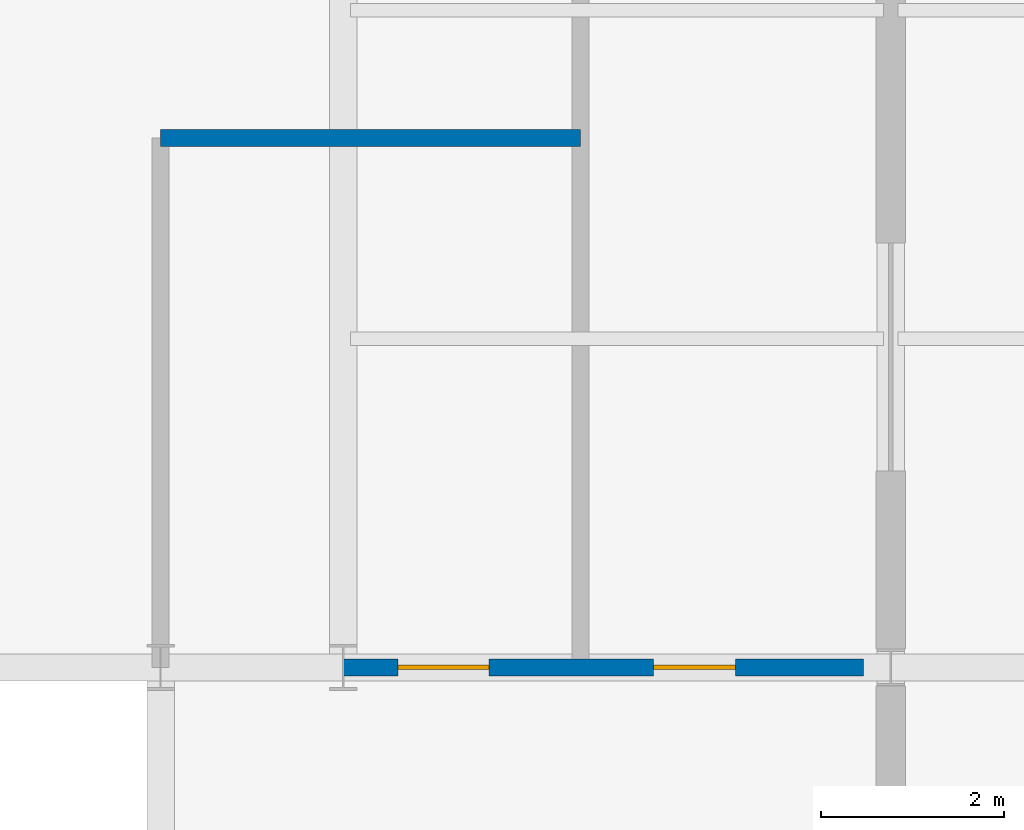
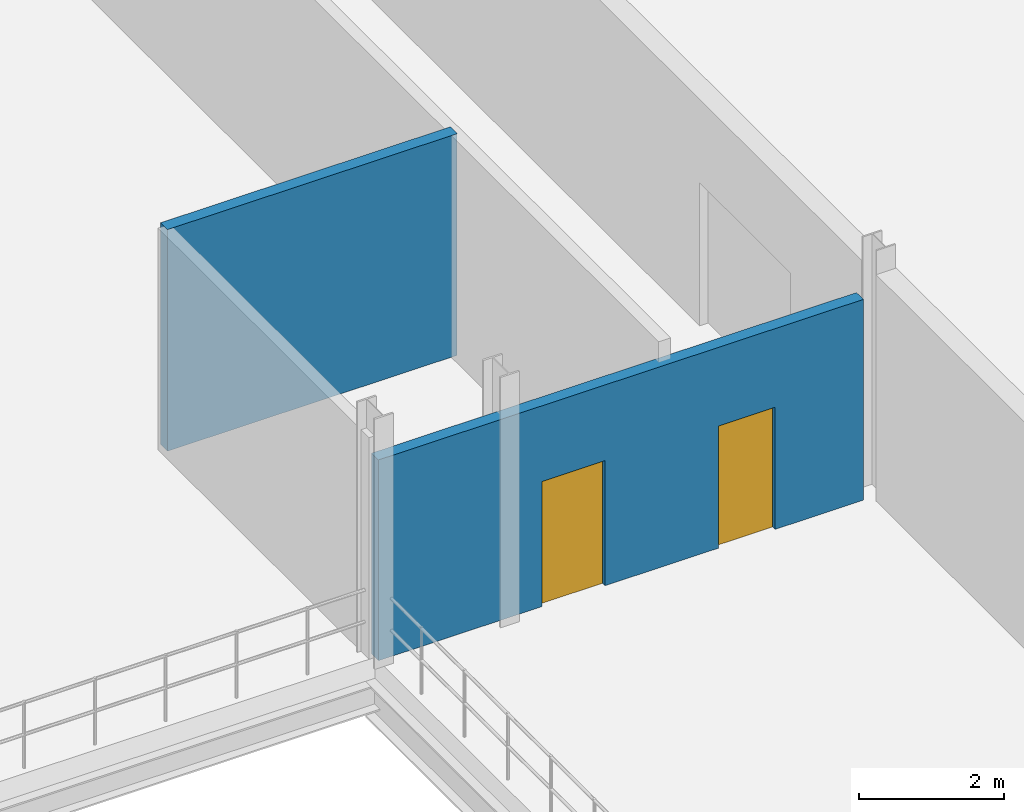
# One storey, part 144 of 158: 2 doors, 2 walls, 2 openings.
"""IFC4 building model written with IfcOpenShell, lengths in metres."""

import ifcopenshell
import ifcopenshell.guid

model = None  # the IFC model being written
_history = None  # IfcOwnerHistory: only IFC2X3 demands one
_inside = {}  # id of a spatial element -> (the spatial element, [elements in it])
_under = {}  # id of a project, library or spatial element -> (it, [spatial elements below it])
_declared = {}  # id of a project -> (the project, [libraries it declares])
_typed = {}  # id of a type object -> (the type object, [elements of that type])
_made_of = {}  # id of a material, layer set ... -> (it, [elements and type objects made of it])


def new_model(schema):
    """Start an empty IFC model of exactly this schema.

    Asked for "IFC4X3", IfcOpenShell would pick the latest addendum, in which some entities
    have other attributes; the version numbers below select the first issue.
    IFC2X3 requires an IfcOwnerHistory on every rooted entity: one is made here for all.
    """
    global model, _history
    if schema == "IFC4X3":
        model = ifcopenshell.file(schema_version=(4, 3, 0, 0))
    else:
        model = ifcopenshell.file(schema=schema)
    _inside.clear()
    _under.clear()
    _declared.clear()
    _typed.clear()
    _made_of.clear()
    _history = None
    if model.schema == "IFC2X3":
        org = make("IfcOrganization", Name="unknown")
        user = make(
            "IfcPersonAndOrganization",
            ThePerson=make("IfcPerson", FamilyName="unknown"),
            TheOrganization=org,
        )
        app = make(
            "IfcApplication",
            ApplicationDeveloper=org,
            Version="unknown",
            ApplicationFullName="unknown",
            ApplicationIdentifier="unknown",
        )
        _history = make(
            "IfcOwnerHistory",
            OwningUser=user,
            OwningApplication=app,
            ChangeAction="ADDED",
            CreationDate=0,
        )
    return model


def make(cls, **values):
    """One entity of the class cls with the attributes given. An attribute that is None is left unset."""
    return model.create_entity(
        cls, **{name: value for name, value in values.items() if value is not None}
    )


def rooted(cls, **values):
    """An entity with a GlobalId (a new one), such as an element, a storey or a relation."""
    return make(cls, GlobalId=ifcopenshell.guid.new(), OwnerHistory=_history, **values)


def si_unit(unit_type, name, prefix=None):
    """IfcSIUnit, for example si_unit("LENGTHUNIT", "METRE", prefix="MILLI")."""
    return make("IfcSIUnit", UnitType=unit_type, Prefix=prefix, Name=name)


def assignment(units):
    """IfcUnitAssignment: the units of a project."""
    return None if units is None else make("IfcUnitAssignment", Units=units)


def point(xyz):
    """IfcCartesianPoint."""
    return None if xyz is None else make("IfcCartesianPoint", Coordinates=xyz)


def direction(xyz):
    """IfcDirection."""
    return None if xyz is None else make("IfcDirection", DirectionRatios=xyz)


def frame(location, z_axis=None, x_axis=None):
    """IfcAxis2Placement3D, a coordinate frame: its origin and axes. An axis left out is left unset."""
    return make(
        "IfcAxis2Placement3D",
        Location=point(location),
        Axis=direction(z_axis),
        RefDirection=direction(x_axis),
    )


def frame_2d(location, x_axis=None):
    """IfcAxis2Placement2D, a coordinate frame in the plane: its origin and x axis."""
    return make(
        "IfcAxis2Placement2D", Location=point(location), RefDirection=direction(x_axis)
    )


def origin():
    """The frame at (0, 0, 0) with its axes left unset."""
    return frame((0.0, 0.0, 0.0))


def place(relative_to, where):
    """IfcLocalPlacement: puts the frame where relative to a parent placement (None: the world)."""
    return make(
        "IfcLocalPlacement", PlacementRelTo=relative_to, RelativePlacement=where
    )


def context(
    kind, dimensions, precision=None, world=None, true_north=None, identifier=None
):
    """IfcGeometricRepresentationContext, for example the 3D "Model" context."""
    return make(
        "IfcGeometricRepresentationContext",
        ContextIdentifier=identifier,
        ContextType=kind,
        CoordinateSpaceDimension=dimensions,
        Precision=precision,
        WorldCoordinateSystem=world,
        TrueNorth=true_north,
    )


def subcontext(parent, identifier, kind, view, scale=None):
    """IfcGeometricRepresentationSubContext, for example "Body" below "Model"."""
    return make(
        "IfcGeometricRepresentationSubContext",
        ContextIdentifier=identifier,
        ContextType=kind,
        ParentContext=parent,
        TargetScale=scale,
        TargetView=view,
    )


def project(units=None, contexts=None):
    """IfcProject with its units and contexts."""
    return rooted(
        "IfcProject",
        Name="project",
        RepresentationContexts=contexts,
        UnitsInContext=assignment(units),
    )


def spatial(cls, under=None, at=None, **own):
    """A site, building, storey or space (cls), placed at a placement, below another one or the project."""
    s = rooted(cls, ObjectPlacement=at, **own)
    if under is not None:
        _under.setdefault(under.id(), (under, []))[1].append(s)
    return s


def profile(cls, at=None, kind="AREA", **sizes):
    """A parametric profile (cls). Its sizes go by their IFC names, for example OverallWidth=200.0."""
    return make(cls, ProfileType=kind, Position=at, **sizes)


def rectangle(**sizes):
    """IfcRectangleProfileDef."""
    return profile("IfcRectangleProfileDef", **sizes)


def extrude(swept, where, along, depth):
    """IfcExtrudedAreaSolid: the profile swept, set in the frame where, extruded along a direction by depth."""
    return make(
        "IfcExtrudedAreaSolid",
        SweptArea=swept,
        Position=where,
        ExtrudedDirection=direction(along),
        Depth=depth,
    )


def shape(context_of_items, identifier, shape_type, items):
    """IfcShapeRepresentation: the items that make up one representation, for example the "Body"."""
    return make(
        "IfcShapeRepresentation",
        ContextOfItems=context_of_items,
        RepresentationIdentifier=identifier,
        RepresentationType=shape_type,
        Items=items,
    )


def material(Name=None, Category=None):
    """IfcMaterial."""
    return make("IfcMaterial", Name=Name, Category=Category)


def layer(
    of_material, thickness, ventilated=None, Name=None, Category=None, Priority=None
):
    """IfcMaterialLayer: one layer of a wall or slab, of a material (None: an air gap)."""
    return make(
        "IfcMaterialLayer",
        Material=of_material,
        LayerThickness=thickness,
        IsVentilated=ventilated,
        Name=Name,
        Category=Category,
        Priority=Priority,
    )


def layer_set(layers, Name=None):
    """IfcMaterialLayerSet."""
    return make("IfcMaterialLayerSet", MaterialLayers=layers, LayerSetName=Name)


def made_of(thing, what):
    """Note that an element or type object is made of a material, layer set ...; save() writes the relation."""
    if what is not None:
        _made_of.setdefault(what.id(), (what, []))[1].append(thing)
    return thing


def type_object(cls, material=None, **own):
    """A type object (cls), such as IfcWallType, which elements share."""
    return made_of(rooted(cls, **own), material)


def element(
    cls,
    number,
    at=None,
    inside=None,
    cuts=None,
    type_object=None,
    material=None,
    context=None,
    identifier="Body",
    shape_type=None,
    held_by="IfcProductDefinitionShape",
    body=None,
    shapes=None,
    **own,
):
    """One element of the class cls, such as IfcWall. Its Tag is "e" and its number.

    at: its placement. inside: the storey or other place that contains it. cuts: it is an
    opening in that element (IfcRelVoidsElement). A single representation is given by context,
    identifier, shape_type and body (its items); several are given by shapes. held_by: the class
    of the entity that holds the representations. save() writes the other relations.
    """
    e = rooted(cls, Tag="e%d" % number, ObjectPlacement=at, **own)
    if body is not None:
        shapes = [shape(context, identifier, shape_type, body)]
    if shapes is not None:
        e.Representation = make(held_by, Representations=shapes)
    if inside is not None:
        _inside.setdefault(inside.id(), (inside, []))[1].append(e)
    if cuts is not None:
        rooted(
            "IfcRelVoidsElement", RelatingBuildingElement=cuts, RelatedOpeningElement=e
        )
    if type_object is not None:
        _typed.setdefault(type_object.id(), (type_object, []))[1].append(e)
    return made_of(e, material)


def fill(opening, filler):
    """IfcRelFillsElement: the door or window that sits in an opening."""
    return rooted(
        "IfcRelFillsElement",
        RelatingOpeningElement=opening,
        RelatedBuildingElement=filler,
    )


def aggregate(whole, parts):
    """IfcRelAggregates: a whole, such as a stair, and the parts it consists of."""
    return rooted("IfcRelAggregates", RelatingObject=whole, RelatedObjects=parts)


def save(model, path):
    """Write the relations noted so far, then the file.

    IfcRelAggregates (storeys below a building ...), IfcRelContainedInSpatialStructure (elements
    in a storey), IfcRelDefinesByType, IfcRelAssociatesMaterial and IfcRelDeclares: one each for
    every whole, place, type object, material and project.
    """
    for whole, parts in _under.values():
        aggregate(whole, parts)
    for where, things in _inside.values():
        rooted(
            "IfcRelContainedInSpatialStructure",
            RelatedElements=things,
            RelatingStructure=where,
        )
    for kind, things in _typed.values():
        rooted("IfcRelDefinesByType", RelatedObjects=things, RelatingType=kind)
    for what, things in _made_of.values():
        rooted("IfcRelAssociatesMaterial", RelatedObjects=things, RelatingMaterial=what)
    for by, libraries in _declared.values():
        rooted("IfcRelDeclares", RelatingContext=by, RelatedDefinitions=libraries)
    model.write(path)


model = new_model("IFC4")

# Units and contexts
model_context = context("Model", 3, precision=1e-05, world=origin(), true_north=direction((0.0, 1.0)))
body_context = subcontext(model_context, "Body", "Model", "MODEL_VIEW")
ifc_project = project(units=[si_unit("LENGTHUNIT", "METRE"), si_unit("AREAUNIT", "SQUARE_METRE"), si_unit("VOLUMEUNIT", "CUBIC_METRE"), si_unit("PLANEANGLEUNIT", "RADIAN"), si_unit("MASSUNIT", "GRAM", prefix="KILO")], contexts=[model_context])

# Site, building, storey
site_placement = place(None, origin())
site = spatial("IfcSite", under=ifc_project, at=site_placement, CompositionType="ELEMENT")
building_placement = place(site_placement, origin())
building = spatial("IfcBuilding", under=site, at=building_placement, Name="Zilviju Railside Exhibition Hall", CompositionType="ELEMENT")
storey_placement = place(building_placement, frame((0.0, 0.0, 4.199951171875)))
storey = spatial("IfcBuildingStorey", under=building, at=storey_placement, Name="L02", CompositionType="ELEMENT", Elevation=4.199951171875)

# Wall, openings, doors
ifc_material_1 = material(Name="Accessible WC sanitary chase wall", Category="masonry")
ifc_layer = layer(ifc_material_1, 0.18994140625)
ifc_layer_set = layer_set([ifc_layer], Name="Accessible WC sanitary chase wall")
wall_type = type_object("IfcWallType", Name="WL-PLMB-190", PredefinedType="PLUMBINGWALL", material=ifc_layer_set)
wall_1_placement = place(storey_placement, frame((70.0, 120.0, 0.0), z_axis=(0.0, 0.0, 1.0), x_axis=(1.0, 0.0, 0.0)))
wall_1 = element("IfcWall", 1, at=wall_1_placement, inside=storey, type_object=wall_type, Name="Concourse L02 WC Wall", PredefinedType="PLUMBINGWALL", context=body_context, shape_type="SweptSolid", body=[
    extrude(rectangle(XDim=7.699951171875, YDim=0.18994140625, at=frame_2d((3.85009765625, 0.0))), origin(), (0.0, 0.0, 1.0), 3.3701171875),
])
opening_1_placement = place(wall_1_placement, frame((2.60009765625, 0.0, 0.0)))
opening_1 = element("IfcOpeningElement", 2, at=opening_1_placement, cuts=wall_1, Name="Opening WD-01", PredefinedType="OPENING", context=body_context, shape_type="SweptSolid", body=[
    extrude(rectangle(XDim=1.0, YDim=2.10009765625, at=frame_2d((0.5, 1.050048828125))), frame((0.0, 0.10498046875, 0.0), z_axis=(0.0, -1.0, 0.0), x_axis=(1.0, 0.0, 0.0)), (0.0, 0.0, 1.0), 0.2099609375),
])
opening_2_placement = place(wall_1_placement, frame((5.39990234375, 0.0, 0.0)))
opening_2 = element("IfcOpeningElement", 3, at=opening_2_placement, cuts=wall_1, Name="Opening WD-02", PredefinedType="OPENING", context=body_context, shape_type="SweptSolid", body=[
    extrude(rectangle(XDim=0.89990234375, YDim=2.050048828125, at=frame_2d((0.449951171875, 1.02490234375))), frame((0.0, 0.10498046875, 0.0), z_axis=(0.0, -1.0, 0.0), x_axis=(1.0, 0.0, 0.0)), (0.0, 0.0, 1.0), 0.2099609375),
])
ifc_material_2 = material(Name="Accessible WC outward-opening door", Category="wood")
door_type_1 = type_object("IfcDoorType", Name="DR-WC-ACC-100x210", OperationType="NOTDEFINED", PredefinedType="DOOR", material=ifc_material_2)
door_1_placement = place(opening_1_placement, origin())
door_1 = element("IfcDoor", 4, at=door_1_placement, inside=storey, type_object=door_type_1, Name="Concourse L02 Accessible WC Door", OperationType="SINGLE_SWING_LEFT", OverallHeight=2.10009765625, OverallWidth=1.0, PredefinedType="DOOR", context=body_context, shape_type="SweptSolid", body=[
    extrude(rectangle(XDim=1.0, YDim=2.10009765625, at=frame_2d((0.5, 1.050048828125))), frame((0.0, 0.02490234375, 0.0), z_axis=(0.0, -1.0, 0.0), x_axis=(1.0, 0.0, 0.0)), (0.0, 0.0, 1.0), 0.050048828125),
])
fill(opening_1, door_1)
ifc_material_3 = material(Name="Sanitary washroom timber door", Category="wood")
door_type_2 = type_object("IfcDoorType", Name="DR-WC-STD-090x205", OperationType="NOTDEFINED", PredefinedType="DOOR", material=ifc_material_3)
door_2_placement = place(opening_2_placement, origin())
door_2 = element("IfcDoor", 5, at=door_2_placement, inside=storey, type_object=door_type_2, Name="Concourse L02 Public Toilets Door", OperationType="SINGLE_SWING_RIGHT", OverallHeight=2.050048828125, OverallWidth=0.89990234375, PredefinedType="DOOR", context=body_context, shape_type="SweptSolid", body=[
    extrude(rectangle(XDim=0.89990234375, YDim=2.050048828125, at=frame_2d((0.449951171875, 1.02490234375))), frame((0.0, 0.02490234375, 0.0), z_axis=(0.0, -1.0, 0.0), x_axis=(1.0, 0.0, 0.0)), (0.0, 0.0, 1.0), 0.050048828125),
])
fill(opening_2, door_2)

# Wall
wall_2_placement = place(storey_placement, frame((70.0, 125.800048828125, 0.0), z_axis=(0.0, 0.0, 1.0), x_axis=(1.0, 0.0, 0.0)))
element("IfcWall", 6, at=wall_2_placement, inside=storey, type_object=wall_type, Name="Concourse L02 WC North Subwall", PredefinedType="PLUMBINGWALL", context=body_context, shape_type="SweptSolid", body=[
    extrude(rectangle(XDim=4.60009765625, YDim=0.18994140625, at=frame_2d((2.300048828125, 0.0))), origin(), (0.0, 0.0, 1.0), 3.719970703125),
])

save(model, "model.ifc")
